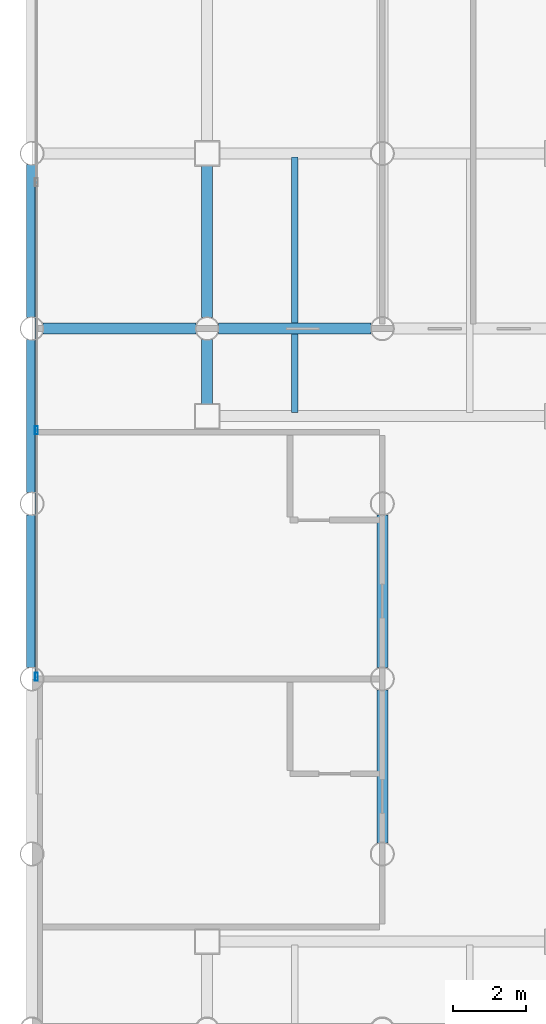
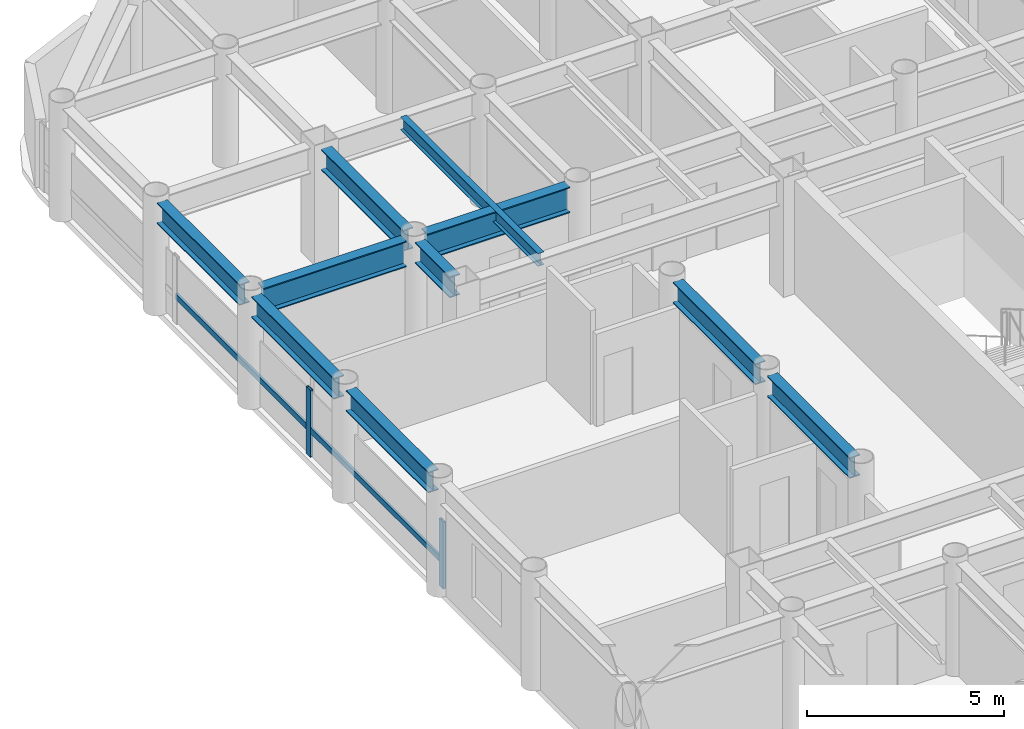
# One storey, part 4 of 22: 10 beams, 4 members, 1 element without a shape of its own.
"""IFC4 building model written with IfcOpenShell, lengths in metres."""

from ifc_helpers import new_model, si_unit, direction, frame, origin, origin_2d, place, context, subcontext, project, spatial, hollow_rectangle, i_section, extrude, material, layer, layer_set, material_profile, profile_set, type_object, element, aggregate, save


model = new_model("IFC4")

# Units and contexts
model_context = context("Model", 3, precision=1e-05, world=origin(), true_north=direction((0.0, 1.0)))
body_context = subcontext(model_context, "Body", "Model", "MODEL_VIEW")
ifc_project = project(units=[si_unit("LENGTHUNIT", "METRE"), si_unit("AREAUNIT", "SQUARE_METRE"), si_unit("VOLUMEUNIT", "CUBIC_METRE"), si_unit("PLANEANGLEUNIT", "RADIAN"), si_unit("MASSUNIT", "GRAM", prefix="KILO")], contexts=[model_context])

# Site, building, storey
site_placement = place(None, origin())
site = spatial("IfcSite", under=ifc_project, at=site_placement, CompositionType="ELEMENT")
building_placement = place(site_placement, origin())
building = spatial("IfcBuilding", under=site, at=building_placement, Name="Kallvorn Hotel Tower", CompositionType="ELEMENT")
storey_placement = place(building_placement, frame((0.0, 0.0, 106.300048828125)))
storey = spatial("IfcBuildingStorey", under=building, at=storey_placement, Name="L25", CompositionType="ELEMENT", Elevation=106.300048828125)

# Beams
ifc_material_1 = material(Name="Structural steel S355JR", Category="steel")
ifc_material_profile_1 = material_profile(ifc_material_1, i_section(OverallWidth=0.300048828125, OverallDepth=0.64990234375, WebThickness=0.01611328125, FlangeThickness=0.031005859375, at=origin_2d()), Name="HE 650 B")
ifc_profile_set_1 = profile_set([ifc_material_profile_1], Name="Structural steel S355JR")
beam_type_1 = type_object("IfcBeamType", Name="BM_HE650B", PredefinedType="BEAM", material=ifc_profile_set_1)
beam_1_placement = place(storey_placement, frame((-28.800048828125, 0.304931640625, 3.195068359375), z_axis=(0.0, 1.0, 0.0), x_axis=(-1.0, 0.0, 0.0)))
element("IfcBeam", 1, at=beam_1_placement, inside=storey, type_object=beam_type_1, Name="L26 Primary Y-Girder 77", PredefinedType="BEAM", context=body_context, shape_type="SweptSolid", body=[
    extrude(i_section(OverallWidth=0.300048828125, OverallDepth=0.64990234375, WebThickness=0.01611328125, FlangeThickness=0.031005859375, at=origin_2d()), origin(), (0.0, 0.0, 1.0), 4.190185546875),
])
for number, where, z_axis, x_axis, name in (
    (2, (-28.800048828125, 5.10498046875, 3.195068359375), (0.0, 1.0, 0.0), (-1.0, 0.0, 0.0), "L26 Primary Y-Girder 78"),
    (3, (-28.800048828125, 9.905029296875, 3.195068359375), (0.0, 1.0, 0.0), (-1.0, 0.0, 0.0), "L26 Primary Y-Girder 79"),
):
    element("IfcBeam", number, at=place(storey_placement, frame(where, z_axis=z_axis, x_axis=x_axis)), inside=storey, type_object=beam_type_1, Name=name, PredefinedType="BEAM", context=body_context, shape_type="SweptSolid", body=[
        extrude(i_section(OverallWidth=0.300048828125, OverallDepth=0.64990234375, WebThickness=0.01611328125, FlangeThickness=0.031005859375, at=origin_2d()), origin(), (0.0, 0.0, 1.0), 4.18994140625),
    ])
beam_2_placement = place(storey_placement, frame((-24.0, 7.52490234375, 3.195068359375), z_axis=(0.0, 1.0, 0.0), x_axis=(-1.0, 0.0, 0.0)))
element("IfcBeam", 4, at=beam_2_placement, inside=storey, type_object=beam_type_1, Name="L26 Primary Y-Girder 84", PredefinedType="BEAM", context=body_context, shape_type="SweptSolid", body=[
    extrude(i_section(OverallWidth=0.300048828125, OverallDepth=0.64990234375, WebThickness=0.01611328125, FlangeThickness=0.031005859375, at=origin_2d()), origin(), (0.0, 0.0, 1.0), 1.77001953125),
])
beam_3_placement = place(storey_placement, frame((-24.0, 9.905029296875, 3.195068359375), z_axis=(0.0, 1.0, 0.0), x_axis=(-1.0, 0.0, 0.0)))
element("IfcBeam", 5, at=beam_3_placement, inside=storey, type_object=beam_type_1, Name="L26 Primary Y-Girder 85", PredefinedType="BEAM", context=body_context, shape_type="SweptSolid", body=[
    extrude(i_section(OverallWidth=0.300048828125, OverallDepth=0.64990234375, WebThickness=0.01611328125, FlangeThickness=0.031005859375, at=origin_2d()), origin(), (0.0, 0.0, 1.0), 4.169921875),
])
for number, where, z_axis, x_axis, name in (
    (6, (-19.199951171875, -4.4951171875, 3.195068359375), (0.0, 1.0, 0.0), (-1.0, 0.0, 0.0), "L26 Primary Y-Girder 91"),
    (7, (-19.199951171875, 0.304931640625, 3.195068359375), (0.0, 1.0, 0.0), (-1.0, 0.0, 0.0), "L26 Primary Y-Girder 92"),
):
    element("IfcBeam", number, at=place(storey_placement, frame(where, z_axis=z_axis, x_axis=x_axis)), inside=storey, type_object=beam_type_1, Name=name, PredefinedType="BEAM", context=body_context, shape_type="SweptSolid", body=[
        extrude(i_section(OverallWidth=0.300048828125, OverallDepth=0.64990234375, WebThickness=0.01611328125, FlangeThickness=0.031005859375, at=origin_2d()), origin(), (0.0, 0.0, 1.0), 4.190185546875),
    ])
ifc_material_2 = material(Name="Structural steel S355JR", Category="steel")
ifc_material_profile_2 = material_profile(ifc_material_2, i_section(OverallWidth=0.300048828125, OverallDepth=0.800048828125, WebThickness=0.017578125, FlangeThickness=0.032958984375, at=origin_2d()), Name="HE 800 B")
ifc_profile_set_2 = profile_set([ifc_material_profile_2], Name="Structural steel S355JR")
beam_type_2 = type_object("IfcBeamType", Name="BM_HE800B", PredefinedType="BEAM", material=ifc_profile_set_2)
for number, where, z_axis, x_axis, name in (
    (8, (-28.4951171875, 9.60009765625, 3.119873046875), (1.0, 0.0, 0.0), (0.0, 1.0, 0.0), "L26 Primary X-Girder 41"),
    (9, (-23.695068359375, 9.60009765625, 3.119873046875), (1.0, 0.0, 0.0), (0.0, 1.0, 0.0), "L26 Primary X-Girder 42"),
):
    element("IfcBeam", number, at=place(storey_placement, frame(where, z_axis=z_axis, x_axis=x_axis)), inside=storey, type_object=beam_type_2, Name=name, PredefinedType="BEAM", context=body_context, shape_type="SweptSolid", body=[
        extrude(i_section(OverallWidth=0.300048828125, OverallDepth=0.800048828125, WebThickness=0.017578125, FlangeThickness=0.032958984375, at=origin_2d()), origin(), (0.0, 0.0, 1.0), 4.190185546875),
    ])
ifc_material_3 = material(Name="Structural steel S355JR", Category="steel")
ifc_material_profile_3 = material_profile(ifc_material_3, i_section(OverallWidth=0.179931640625, OverallDepth=0.39990234375, WebThickness=0.008544921875, FlangeThickness=0.013427734375, at=origin_2d()), Name="IPE 400")
ifc_profile_set_3 = profile_set([ifc_material_profile_3], Name="Structural steel S355JR")
beam_type_3 = type_object("IfcBeamType", Name="BM_IPE400", PredefinedType="JOIST", material=ifc_profile_set_3)
beam_4_placement = place(storey_placement, frame((-21.60009765625, 7.300048828125, 3.320068359375), z_axis=(0.0, 1.0, 0.0), x_axis=(-1.0, 0.0, 0.0)))
element("IfcBeam", 10, at=beam_4_placement, inside=storey, type_object=beam_type_3, Name="L26 Secondary Composite Joist 193", PredefinedType="JOIST", context=body_context, shape_type="SweptSolid", body=[
    extrude(i_section(OverallWidth=0.179931640625, OverallDepth=0.39990234375, WebThickness=0.008544921875, FlangeThickness=0.013427734375, at=origin_2d()), origin(), (0.0, 0.0, 1.0), 7.0),
])

# Curtain wall, members
ifc_material_4 = material(Name="Thermally broken black-anodised aluminium AA 6063-T6", Category="aluminium")
ifc_layer = layer(ifc_material_4, 0.199951171875)
ifc_layer_set = layer_set([ifc_layer], Name="CW_SYS_3_HOTEL_LOW")
curtain_wall_type = type_object("IfcCurtainWallType", Name="CW_SYS_3_HOTEL_LOW", PredefinedType="USERDEFINED", material=ifc_layer_set)
curtain_wall_placement = place(storey_placement, origin())
curtain_wall = element("IfcCurtainWall", 11, at=curtain_wall_placement, inside=storey, type_object=curtain_wall_type, Name="L25 Dark-Glass Curtain Wall CW-L25-WN", ObjectType="UNITISED CURTAIN WALL", PredefinedType="USERDEFINED")
ifc_material_5 = material(Name="Thermally broken black-anodised aluminium AA 6063-T6", Category="aluminium")
ifc_material_profile_4 = material_profile(ifc_material_5, hollow_rectangle(XDim=0.080078125, YDim=0.219970703125, WallThickness=0.0048828125, at=origin_2d()), Name="MUL 220x80")
ifc_profile_set_4 = profile_set([ifc_material_profile_4], Name="Thermally broken black-anodised aluminium AA 6063-T6")
member_type_1 = type_object("IfcMemberType", Name="CW_MULLION_220x80", PredefinedType="MULLION", material=ifc_profile_set_4)
member_1_placement = place(storey_placement, frame((-28.679931640625, 0.06005859375, 0.02001953125), z_axis=(0.0, 0.0, 1.0), x_axis=(1.0, 0.0, 0.0)))
member_1 = element("IfcMember", 12, at=member_1_placement, type_object=member_type_1, Name="CW-L25-WN Mullion 00", PredefinedType="MULLION", context=body_context, shape_type="SweptSolid", body=[
    extrude(hollow_rectangle(XDim=0.080078125, YDim=0.219970703125, WallThickness=0.0048828125, at=origin_2d()), origin(), (0.0, 0.0, 1.0), 2.079833984375),
])
member_2_placement = place(storey_placement, frame((-28.679931640625, 6.813232421875, 0.02001953125), z_axis=(0.0, 0.0, 1.0), x_axis=(1.0, 0.0, 0.0)))
member_2 = element("IfcMember", 13, at=member_2_placement, type_object=member_type_1, Name="CW-L25-WN Mullion 01", PredefinedType="MULLION", context=body_context, shape_type="SweptSolid", body=[
    extrude(hollow_rectangle(XDim=0.080078125, YDim=0.219970703125, WallThickness=0.0048828125, at=origin_2d()), origin(), (0.0, 0.0, 1.0), 2.079833984375),
])
ifc_material_6 = material(Name="Thermally broken black-anodised aluminium AA 6063-T6", Category="aluminium")
ifc_material_profile_5 = material_profile(ifc_material_6, hollow_rectangle(XDim=0.070068359375, YDim=0.179931640625, WallThickness=0.00390625, at=origin_2d()), Name="TRN 180x70")
ifc_profile_set_5 = profile_set([ifc_material_profile_5], Name="Thermally broken black-anodised aluminium AA 6063-T6")
member_type_2 = type_object("IfcMemberType", Name="CW_TRANSOM_180x70", PredefinedType="USERDEFINED", material=ifc_profile_set_5)
member_3_placement = place(storey_placement, frame((-28.679931640625, 0.06005859375, 0.849853515625), z_axis=(0.0, 1.0, 0.0), x_axis=(-1.0, 0.0, 0.0)))
member_3 = element("IfcMember", 14, at=member_3_placement, type_object=member_type_2, Name="CW-L25-WN Transom 00M", ObjectType="TRANSOM", PredefinedType="USERDEFINED", context=body_context, shape_type="SweptSolid", body=[
    extrude(hollow_rectangle(XDim=0.070068359375, YDim=0.179931640625, WallThickness=0.00390625, at=origin_2d()), origin(), (0.0, 0.0, 1.0), 6.713134765625),
])
member_4_placement = place(storey_placement, frame((-28.679931640625, 6.853271484375, 0.849853515625), z_axis=(0.0, 1.0, 0.0), x_axis=(-1.0, 0.0, 0.0)))
member_4 = element("IfcMember", 15, at=member_4_placement, type_object=member_type_2, Name="CW-L25-WN Transom 01M", ObjectType="TRANSOM", PredefinedType="USERDEFINED", context=body_context, shape_type="SweptSolid", body=[
    extrude(hollow_rectangle(XDim=0.070068359375, YDim=0.179931640625, WallThickness=0.00390625, at=origin_2d()), origin(), (0.0, 0.0, 1.0), 6.71337890625),
])
aggregate(curtain_wall, [member_1, member_2, member_3, member_4])

save(model, "model.ifc")
